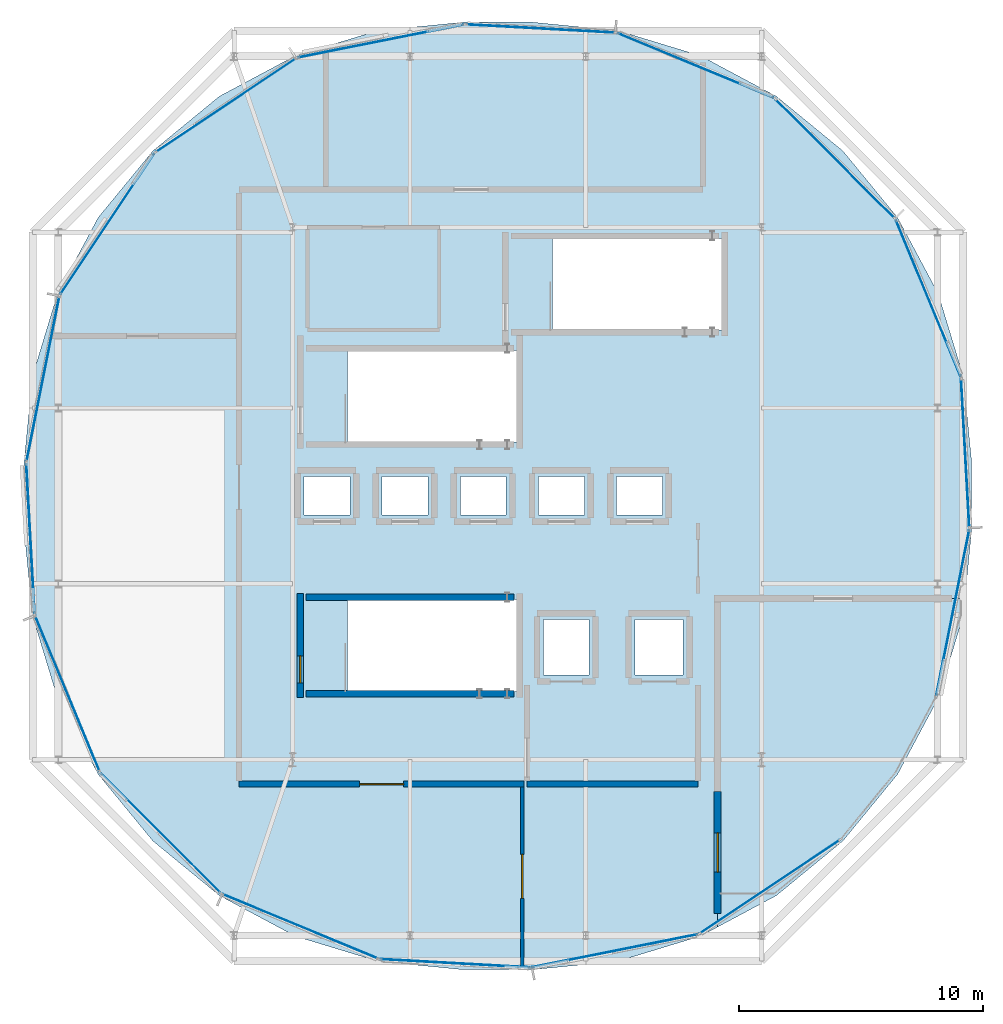
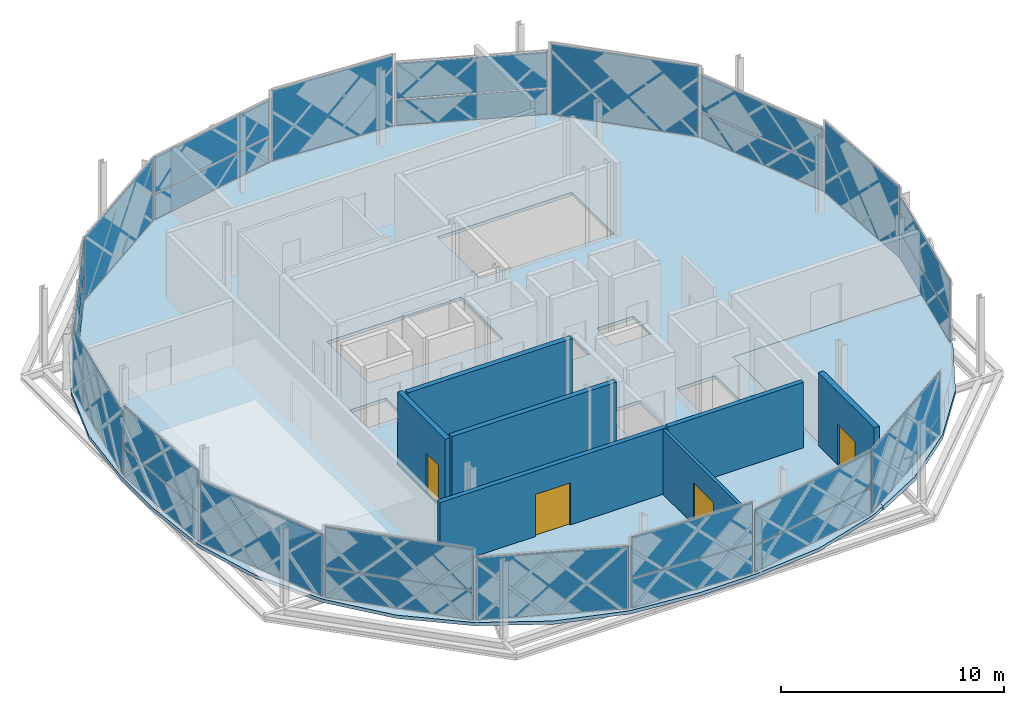
# One storey, part 9 of 15: 26 plates, 7 walls, 4 doors, 2 slabs, 4 openings, 17 elements without a shape of their own.
"""IFC4 building model written with IfcOpenShell, lengths in metres."""

from ifc_helpers import new_model, si_unit, direction, frame, frame_2d, origin, origin_2d, place, context, subcontext, project, spatial, polyline, rectangle, outline, extrude, material, layer, layer_set, type_object, element, fill, aggregate, save


model = new_model("IFC4")

# Units and contexts
model_context = context("Model", 3, precision=1e-05, world=origin(), true_north=direction((0.0, 1.0)))
body_context = subcontext(model_context, "Body", "Model", "MODEL_VIEW")
ifc_project = project(units=[si_unit("LENGTHUNIT", "METRE"), si_unit("AREAUNIT", "SQUARE_METRE"), si_unit("VOLUMEUNIT", "CUBIC_METRE"), si_unit("PLANEANGLEUNIT", "RADIAN"), si_unit("MASSUNIT", "GRAM", prefix="KILO")], contexts=[model_context])

# Site, building, storey
site_placement = place(None, origin())
site = spatial("IfcSite", under=ifc_project, at=site_placement, CompositionType="ELEMENT")
building_placement = place(site_placement, origin())
building = spatial("IfcBuilding", under=site, at=building_placement, Name="Zevrakil Square Congress Hotel", CompositionType="ELEMENT")
storey_placement = place(building_placement, frame((0.0, 0.0, 41.89990234375)))
storey = spatial("IfcBuildingStorey", under=building, at=storey_placement, Name="L12", CompositionType="ELEMENT", Elevation=41.89990234375)

# Curtain wall, plate
ifc_material_1 = material(Name="Aluminium Anodised Bronze", Category="aluminium")
ifc_layer_1 = layer(ifc_material_1, 0.179931640625)
ifc_layer_set_1 = layer_set([ifc_layer_1], Name="Aluminium Anodised Bronze")
curtain_wall_type_1 = type_object("IfcCurtainWallType", Name="CW-L12-720", PredefinedType="USERDEFINED", material=ifc_layer_set_1)
curtain_wall_1_placement = place(storey_placement, origin())
curtain_wall_1 = element("IfcCurtainWall", 1, at=curtain_wall_1_placement, inside=storey, type_object=curtain_wall_type_1, Name="L12 diamond curtain wall CW-L12-0304", ObjectType="GLAZED CURTAIN WALL", PredefinedType="USERDEFINED")
ifc_material_2 = material(Name="Low-E Solar Control Double Glazing", Category="glass")
ifc_layer_2 = layer(ifc_material_2, 0.028076171875)
ifc_layer_set_2 = layer_set([ifc_layer_2], Name="Low-E Solar Control Double Glazing")
plate_type_1 = type_object("IfcPlateType", Name="CWP-GLAZ-28", PredefinedType="CURTAIN_PANEL", material=ifc_layer_set_2)
plate_1_placement = place(storey_placement, frame((163.82763671875, 22.808349609375, 0.06005859375), z_axis=(0.0, 0.0, 1.0), x_axis=(0.195083900459, 0.980786557708, 0.0)))
plate_1 = element("IfcPlate", 2, at=plate_1_placement, type_object=plate_type_1, Name="CW-142 panel 1.1", PredefinedType="CURTAIN_PANEL", context=body_context, shape_type="SweptSolid", body=[
    extrude(rectangle(XDim=6.8857421875, YDim=0.028076171875, at=origin_2d()), origin(), (0.0, 0.0, 1.0), 1.396728515625),
])

curtain_wall_2_placement = place(storey_placement, origin())
curtain_wall_2 = element("IfcCurtainWall", 3, at=curtain_wall_2_placement, inside=storey, type_object=curtain_wall_type_1, Name="L12 diamond curtain wall CW-L12-0306", ObjectType="GLAZED CURTAIN WALL", PredefinedType="USERDEFINED")
plate_2_placement = place(storey_placement, frame((162.825439453125, 35.695068359375, 0.06005859375), z_axis=(0.0, 0.0, 1.0), x_axis=(-0.382683763454, 0.92387939537, 0.0)))
plate_2 = element("IfcPlate", 4, at=plate_2_placement, type_object=plate_type_1, Name="CW-142 panel 1.1", PredefinedType="CURTAIN_PANEL", context=body_context, shape_type="SweptSolid", body=[
    extrude(rectangle(XDim=6.8857421875, YDim=0.028076171875, at=origin_2d()), origin(), (0.0, 0.0, 1.0), 1.396728515625),
])

curtain_wall_3_placement = place(storey_placement, origin())
curtain_wall_3 = element("IfcCurtainWall", 5, at=curtain_wall_3_placement, inside=storey, type_object=curtain_wall_type_1, Name="L12 diamond curtain wall CW-L12-0308", ObjectType="GLAZED CURTAIN WALL", PredefinedType="USERDEFINED")
plate_3_placement = place(storey_placement, frame((153.295166015625, 45.2255859375, 1.51708984375), z_axis=(0.0, 0.0, 1.0), x_axis=(-0.92387939537, 0.382683763454, 0.0)))
plate_3 = element("IfcPlate", 6, at=plate_3_placement, type_object=plate_type_1, Name="CW-142 panel 1.2", PredefinedType="CURTAIN_PANEL", context=body_context, shape_type="SweptSolid", body=[
    extrude(rectangle(XDim=6.8857421875, YDim=0.028076171875, at=origin_2d()), origin(), (0.0, 0.0, 1.0), 1.963134765625),
])

ifc_material_3 = material(Name="Aluminium Anodised Bronze", Category="aluminium")
ifc_layer_3 = layer(ifc_material_3, 0.179931640625)
ifc_layer_set_3 = layer_set([ifc_layer_3], Name="Aluminium Anodised Bronze")
curtain_wall_type_2 = type_object("IfcCurtainWallType", Name="CW-L12-640", PredefinedType="USERDEFINED", material=ifc_layer_set_3)
curtain_wall_4_placement = place(storey_placement, origin())
curtain_wall_4 = element("IfcCurtainWall", 7, at=curtain_wall_4_placement, inside=storey, type_object=curtain_wall_type_2, Name="L12 diamond curtain wall CW-L12-0309", ObjectType="GLAZED CURTAIN WALL", PredefinedType="USERDEFINED")
plate_4_placement = place(storey_placement, frame((146.951416015625, 46.738525390625, 0.06005859375), z_axis=(0.0, 0.0, 1.0), x_axis=(-0.998462725099, 0.055427309038, 0.0)))
plate_4 = element("IfcPlate", 8, at=plate_4_placement, type_object=plate_type_1, Name="CW-141 panel 1.1", PredefinedType="CURTAIN_PANEL", context=body_context, shape_type="SweptSolid", body=[
    extrude(rectangle(XDim=6.104248046875, YDim=0.028076171875, at=origin_2d()), origin(), (0.0, 0.0, 1.0), 3.875),
])
aggregate(curtain_wall_4, [plate_4])

curtain_wall_5_placement = place(storey_placement, origin())
curtain_wall_5 = element("IfcCurtainWall", 9, at=curtain_wall_5_placement, inside=storey, type_object=curtain_wall_type_1, Name="L12 diamond curtain wall CW-L12-0310", ObjectType="GLAZED CURTAIN WALL", PredefinedType="USERDEFINED")
plate_5_placement = place(storey_placement, frame((140.408447265625, 46.2275390625, 1.51708984375), z_axis=(0.0, 0.0, 1.0), x_axis=(-0.980786557708, -0.195083900459, 0.0)))
plate_5 = element("IfcPlate", 10, at=plate_5_placement, type_object=plate_type_1, Name="CW-142 panel 1.2", PredefinedType="CURTAIN_PANEL", context=body_context, shape_type="SweptSolid", body=[
    extrude(rectangle(XDim=6.8857421875, YDim=0.028076171875, at=origin_2d()), origin(), (0.0, 0.0, 1.0), 1.963134765625),
])

curtain_wall_6_placement = place(storey_placement, origin())
curtain_wall_6 = element("IfcCurtainWall", 11, at=curtain_wall_6_placement, inside=storey, type_object=curtain_wall_type_1, Name="L12 diamond curtain wall CW-L12-0311", ObjectType="GLAZED CURTAIN WALL", PredefinedType="USERDEFINED")
plate_6_placement = place(storey_placement, frame((134.060302734375, 43.59814453125, 0.06005859375), z_axis=(0.0, 0.0, 1.0), x_axis=(-0.831465693332, -0.555576098128, 0.0)))
plate_6 = element("IfcPlate", 12, at=plate_6_placement, type_object=plate_type_1, Name="CW-142 panel 1.1", PredefinedType="CURTAIN_PANEL", context=body_context, shape_type="SweptSolid", body=[
    extrude(rectangle(XDim=6.8857421875, YDim=0.028076171875, at=origin_2d()), origin(), (0.0, 0.0, 1.0), 3.419921875),
])
aggregate(curtain_wall_6, [plate_6])

curtain_wall_7_placement = place(storey_placement, origin())
curtain_wall_7 = element("IfcCurtainWall", 13, at=curtain_wall_7_placement, inside=storey, type_object=curtain_wall_type_2, Name="L12 diamond curtain wall CW-L12-0314", ObjectType="GLAZED CURTAIN WALL", PredefinedType="USERDEFINED")
plate_7_placement = place(storey_placement, frame((126.0615234375, 25.8486328125, 0.06005859375), z_axis=(0.0, 0.0, 1.0), x_axis=(0.055427309038, -0.998462725099, 0.0)))
plate_7 = element("IfcPlate", 14, at=plate_7_placement, type_object=plate_type_1, Name="CW-141 panel 1.1", PredefinedType="CURTAIN_PANEL", context=body_context, shape_type="SweptSolid", body=[
    extrude(rectangle(XDim=6.104248046875, YDim=0.028076171875, at=origin_2d()), origin(), (0.0, 0.0, 1.0), 1.587890625),
])

curtain_wall_8_placement = place(storey_placement, origin())
curtain_wall_8 = element("IfcCurtainWall", 15, at=curtain_wall_8_placement, inside=storey, type_object=curtain_wall_type_1, Name="L12 diamond curtain wall CW-L12-0316", ObjectType="GLAZED CURTAIN WALL", PredefinedType="USERDEFINED")
plate_8_placement = place(storey_placement, frame((131.391845703125, 13.791748046875, 0.06005859375), z_axis=(0.0, 0.0, 1.0), x_axis=(0.707106781187, -0.707106781187, 0.0)))
plate_8 = element("IfcPlate", 16, at=plate_8_placement, type_object=plate_type_1, Name="CW-142 panel 1.1", PredefinedType="CURTAIN_PANEL", context=body_context, shape_type="SweptSolid", body=[
    extrude(rectangle(XDim=6.885498046875, YDim=0.028076171875, at=origin_2d()), origin(), (0.0, 0.0, 1.0), 1.587890625),
])

curtain_wall_9_placement = place(storey_placement, origin())
curtain_wall_9 = element("IfcCurtainWall", 17, at=curtain_wall_9_placement, inside=storey, type_object=curtain_wall_type_2, Name="L12 diamond curtain wall CW-L12-0318", ObjectType="GLAZED CURTAIN WALL", PredefinedType="USERDEFINED")
plate_9_placement = place(storey_placement, frame((143.448486328125, 8.46142578125, 1.7080078125), z_axis=(0.0, 0.0, 1.0), x_axis=(0.998462725099, -0.055427309038, 0.0)))
plate_9 = element("IfcPlate", 18, at=plate_9_placement, type_object=plate_type_1, Name="CW-141 panel 1.2", PredefinedType="CURTAIN_PANEL", context=body_context, shape_type="SweptSolid", body=[
    extrude(rectangle(XDim=6.104248046875, YDim=0.028076171875, at=origin_2d()), origin(), (0.0, 0.0, 1.0), 2.22705078125),
])

curtain_wall_10_placement = place(storey_placement, origin())
curtain_wall_10 = element("IfcCurtainWall", 19, at=curtain_wall_10_placement, inside=storey, type_object=curtain_wall_type_1, Name="L12 diamond curtain wall CW-L12-0302", ObjectType="GLAZED CURTAIN WALL", PredefinedType="USERDEFINED")
ifc_material_4 = material(Name="Basalt Grey Ribbed GRC Panel", Category="masonry")
ifc_layer_4 = layer(ifc_material_4, 0.0439453125)
ifc_layer_set_4 = layer_set([ifc_layer_4], Name="Basalt Grey Ribbed GRC Panel")
plate_type_2 = type_object("IfcPlateType", Name="CWP-GRCG-44", PredefinedType="CURTAIN_PANEL", material=ifc_layer_set_4)
plate_10_placement = place(storey_placement, frame((149.991455078125, 8.972412109375, 1.51708984375), z_axis=(0.0, 0.0, 1.0), x_axis=(0.980786557708, 0.195083900459, 0.0)))
plate_10 = element("IfcPlate", 20, at=plate_10_placement, type_object=plate_type_2, Name="CW-142 panel 1.2", PredefinedType="CURTAIN_PANEL", context=body_context, shape_type="SweptSolid", body=[
    extrude(rectangle(XDim=6.8857421875, YDim=0.028076171875, at=origin_2d()), origin(), (0.0, 0.0, 1.0), 1.963134765625),
])

curtain_wall_11_placement = place(storey_placement, origin())
curtain_wall_11 = element("IfcCurtainWall", 21, at=curtain_wall_11_placement, inside=storey, type_object=curtain_wall_type_1, Name="L12 diamond curtain wall CW-L12-0303", ObjectType="GLAZED CURTAIN WALL", PredefinedType="USERDEFINED")
plate_11_placement = place(storey_placement, frame((156.339599609375, 11.601806640625, 0.06005859375), z_axis=(0.0, 0.0, 1.0), x_axis=(0.831465693332, 0.555576098128, 0.0)))
plate_11 = element("IfcPlate", 22, at=plate_11_placement, type_object=plate_type_2, Name="CW-142 panel 1.1", PredefinedType="CURTAIN_PANEL", context=body_context, shape_type="SweptSolid", body=[
    extrude(rectangle(XDim=6.8857421875, YDim=0.028076171875, at=origin_2d()), origin(), (0.0, 0.0, 1.0), 3.419921875),
])
aggregate(curtain_wall_11, [plate_11])

# Plate
plate_12_placement = place(storey_placement, frame((153.295166015625, 45.2255859375, 0.06005859375), z_axis=(0.0, 0.0, 1.0), x_axis=(-0.92387939537, 0.382683763454, 0.0)))
plate_12 = element("IfcPlate", 23, at=plate_12_placement, type_object=plate_type_2, Name="CW-142 panel 1.1", PredefinedType="CURTAIN_PANEL", context=body_context, shape_type="SweptSolid", body=[
    extrude(rectangle(XDim=6.8857421875, YDim=0.028076171875, at=origin_2d()), origin(), (0.0, 0.0, 1.0), 1.396728515625),
])

aggregate(curtain_wall_3, [plate_12, plate_3])

# Curtain wall, plate
curtain_wall_12_placement = place(storey_placement, origin())
curtain_wall_12 = element("IfcCurtainWall", 24, at=curtain_wall_12_placement, inside=storey, type_object=curtain_wall_type_1, Name="L12 diamond curtain wall CW-L12-0312", ObjectType="GLAZED CURTAIN WALL", PredefinedType="USERDEFINED")
plate_13_placement = place(storey_placement, frame((129.201904296875, 38.739501953125, 1.51708984375), z_axis=(0.0, 0.0, 1.0), x_axis=(-0.555576098128, -0.831465693332, 0.0)))
plate_13 = element("IfcPlate", 25, at=plate_13_placement, type_object=plate_type_2, Name="CW-142 panel 1.2", PredefinedType="CURTAIN_PANEL", context=body_context, shape_type="SweptSolid", body=[
    extrude(rectangle(XDim=6.8857421875, YDim=0.028076171875, at=origin_2d()), origin(), (0.0, 0.0, 1.0), 1.963134765625),
])

curtain_wall_13_placement = place(storey_placement, origin())
curtain_wall_13 = element("IfcCurtainWall", 26, at=curtain_wall_13_placement, inside=storey, type_object=curtain_wall_type_1, Name="L12 diamond curtain wall CW-L12-0313", ObjectType="GLAZED CURTAIN WALL", PredefinedType="USERDEFINED")
plate_14_placement = place(storey_placement, frame((126.572265625, 32.3916015625, 0.06005859375), z_axis=(0.0, 0.0, 1.0), x_axis=(-0.195083900459, -0.980786557708, 0.0)))
plate_14 = element("IfcPlate", 27, at=plate_14_placement, type_object=plate_type_2, Name="CW-142 panel 1.1", PredefinedType="CURTAIN_PANEL", context=body_context, shape_type="SweptSolid", body=[
    extrude(rectangle(XDim=6.8857421875, YDim=0.028076171875, at=origin_2d()), origin(), (0.0, 0.0, 1.0), 3.419921875),
])
aggregate(curtain_wall_13, [plate_14])

# Plate
plate_15_placement = place(storey_placement, frame((143.448486328125, 8.46142578125, 0.06005859375), z_axis=(0.0, 0.0, 1.0), x_axis=(0.998462725099, -0.055427309038, 0.0)))
plate_15 = element("IfcPlate", 28, at=plate_15_placement, type_object=plate_type_2, Name="CW-141 panel 1.1", PredefinedType="CURTAIN_PANEL", context=body_context, shape_type="SweptSolid", body=[
    extrude(rectangle(XDim=6.104248046875, YDim=0.028076171875, at=origin_2d()), origin(), (0.0, 0.0, 1.0), 1.587890625),
])

aggregate(curtain_wall_9, [plate_15, plate_9])

ifc_material_5 = material(Name="White Ribbed Highland GRC Panel", Category="concrete")
ifc_layer_5 = layer(ifc_material_5, 0.0400390625)
ifc_layer_set_5 = layer_set([ifc_layer_5], Name="White Ribbed Highland GRC Panel")
plate_type_3 = type_object("IfcPlateType", Name="CWP-GRCW-40", PredefinedType="CURTAIN_PANEL", material=ifc_layer_set_5)
plate_16_placement = place(storey_placement, frame((149.991455078125, 8.972412109375, 0.06005859375), z_axis=(0.0, 0.0, 1.0), x_axis=(0.980786557708, 0.195083900459, 0.0)))
plate_16 = element("IfcPlate", 29, at=plate_16_placement, type_object=plate_type_3, Name="CW-142 panel 1.1", PredefinedType="CURTAIN_PANEL", context=body_context, shape_type="SweptSolid", body=[
    extrude(rectangle(XDim=6.8857421875, YDim=0.028076171875, at=origin_2d()), origin(), (0.0, 0.0, 1.0), 1.396728515625),
])

aggregate(curtain_wall_10, [plate_16, plate_10])

plate_17_placement = place(storey_placement, frame((163.82763671875, 22.808349609375, 1.51708984375), z_axis=(0.0, 0.0, 1.0), x_axis=(0.195083900459, 0.980786557708, 0.0)))
plate_17 = element("IfcPlate", 30, at=plate_17_placement, type_object=plate_type_3, Name="CW-142 panel 1.2", PredefinedType="CURTAIN_PANEL", context=body_context, shape_type="SweptSolid", body=[
    extrude(rectangle(XDim=6.8857421875, YDim=0.028076171875, at=origin_2d()), origin(), (0.0, 0.0, 1.0), 1.963134765625),
])

aggregate(curtain_wall_1, [plate_1, plate_17])

# Curtain wall, plate
curtain_wall_14_placement = place(storey_placement, origin())
curtain_wall_14 = element("IfcCurtainWall", 31, at=curtain_wall_14_placement, inside=storey, type_object=curtain_wall_type_2, Name="L12 diamond curtain wall CW-L12-0305", ObjectType="GLAZED CURTAIN WALL", PredefinedType="USERDEFINED")
plate_18_placement = place(storey_placement, frame((164.33837890625, 29.351318359375, 0.06005859375), z_axis=(0.0, 0.0, 1.0), x_axis=(-0.055427309038, 0.998462725099, 0.0)))
plate_18 = element("IfcPlate", 32, at=plate_18_placement, type_object=plate_type_3, Name="CW-141 panel 1.1", PredefinedType="CURTAIN_PANEL", context=body_context, shape_type="SweptSolid", body=[
    extrude(rectangle(XDim=6.104248046875, YDim=0.028076171875, at=origin_2d()), origin(), (0.0, 0.0, 1.0), 3.875),
])
aggregate(curtain_wall_14, [plate_18])

# Plate
plate_19_placement = place(storey_placement, frame((162.825439453125, 35.695068359375, 1.51708984375), z_axis=(0.0, 0.0, 1.0), x_axis=(-0.382683763454, 0.92387939537, 0.0)))
plate_19 = element("IfcPlate", 33, at=plate_19_placement, type_object=plate_type_3, Name="CW-142 panel 1.2", PredefinedType="CURTAIN_PANEL", context=body_context, shape_type="SweptSolid", body=[
    extrude(rectangle(XDim=6.8857421875, YDim=0.028076171875, at=origin_2d()), origin(), (0.0, 0.0, 1.0), 1.963134765625),
])

aggregate(curtain_wall_2, [plate_2, plate_19])

# Curtain wall, plate
curtain_wall_15_placement = place(storey_placement, origin())
curtain_wall_15 = element("IfcCurtainWall", 34, at=curtain_wall_15_placement, inside=storey, type_object=curtain_wall_type_1, Name="L12 diamond curtain wall CW-L12-0307", ObjectType="GLAZED CURTAIN WALL", PredefinedType="USERDEFINED")
plate_20_placement = place(storey_placement, frame((159.008056640625, 41.408203125, 0.06005859375), z_axis=(0.0, 0.0, 1.0), x_axis=(-0.707106781187, 0.707106781187, 0.0)))
plate_20 = element("IfcPlate", 35, at=plate_20_placement, type_object=plate_type_3, Name="CW-142 panel 1.1", PredefinedType="CURTAIN_PANEL", context=body_context, shape_type="SweptSolid", body=[
    extrude(rectangle(XDim=6.885498046875, YDim=0.028076171875, at=origin_2d()), origin(), (0.0, 0.0, 1.0), 3.875),
])
aggregate(curtain_wall_15, [plate_20])

# Plate
plate_21_placement = place(storey_placement, frame((140.408447265625, 46.2275390625, 0.06005859375), z_axis=(0.0, 0.0, 1.0), x_axis=(-0.980786557708, -0.195083900459, 0.0)))
plate_21 = element("IfcPlate", 36, at=plate_21_placement, type_object=plate_type_3, Name="CW-142 panel 1.1", PredefinedType="CURTAIN_PANEL", context=body_context, shape_type="SweptSolid", body=[
    extrude(rectangle(XDim=6.8857421875, YDim=0.028076171875, at=origin_2d()), origin(), (0.0, 0.0, 1.0), 1.396728515625),
])

aggregate(curtain_wall_5, [plate_21, plate_5])

plate_22_placement = place(storey_placement, frame((129.201904296875, 38.739501953125, 0.06005859375), z_axis=(0.0, 0.0, 1.0), x_axis=(-0.555576098128, -0.831465693332, 0.0)))
plate_22 = element("IfcPlate", 37, at=plate_22_placement, type_object=plate_type_3, Name="CW-142 panel 1.1", PredefinedType="CURTAIN_PANEL", context=body_context, shape_type="SweptSolid", body=[
    extrude(rectangle(XDim=6.8857421875, YDim=0.028076171875, at=origin_2d()), origin(), (0.0, 0.0, 1.0), 1.396728515625),
])

aggregate(curtain_wall_12, [plate_22, plate_13])

plate_23_placement = place(storey_placement, frame((126.0615234375, 25.8486328125, 1.7080078125), z_axis=(0.0, 0.0, 1.0), x_axis=(0.055427309038, -0.998462725099, 0.0)))
plate_23 = element("IfcPlate", 38, at=plate_23_placement, type_object=plate_type_3, Name="CW-141 panel 1.2", PredefinedType="CURTAIN_PANEL", context=body_context, shape_type="SweptSolid", body=[
    extrude(rectangle(XDim=6.104248046875, YDim=0.028076171875, at=origin_2d()), origin(), (0.0, 0.0, 1.0), 2.22705078125),
])

aggregate(curtain_wall_7, [plate_7, plate_23])

# Curtain wall, plate
curtain_wall_16_placement = place(storey_placement, origin())
curtain_wall_16 = element("IfcCurtainWall", 39, at=curtain_wall_16_placement, inside=storey, type_object=curtain_wall_type_1, Name="L12 diamond curtain wall CW-L12-0315", ObjectType="GLAZED CURTAIN WALL", PredefinedType="USERDEFINED")
plate_24_placement = place(storey_placement, frame((127.574462890625, 19.5048828125, 0.06005859375), z_axis=(0.0, 0.0, 1.0), x_axis=(0.382683763454, -0.92387939537, 0.0)))
plate_24 = element("IfcPlate", 40, at=plate_24_placement, type_object=plate_type_3, Name="CW-142 panel 1.1", PredefinedType="CURTAIN_PANEL", context=body_context, shape_type="SweptSolid", body=[
    extrude(rectangle(XDim=6.8857421875, YDim=0.028076171875, at=origin_2d()), origin(), (0.0, 0.0, 1.0), 3.419921875),
])
aggregate(curtain_wall_16, [plate_24])

# Plate
plate_25_placement = place(storey_placement, frame((131.391845703125, 13.791748046875, 1.7080078125), z_axis=(0.0, 0.0, 1.0), x_axis=(0.707106781187, -0.707106781187, 0.0)))
plate_25 = element("IfcPlate", 41, at=plate_25_placement, type_object=plate_type_3, Name="CW-142 panel 1.2", PredefinedType="CURTAIN_PANEL", context=body_context, shape_type="SweptSolid", body=[
    extrude(rectangle(XDim=6.885498046875, YDim=0.028076171875, at=origin_2d()), origin(), (0.0, 0.0, 1.0), 2.22705078125),
])

aggregate(curtain_wall_8, [plate_8, plate_25])

# Curtain wall, plate
curtain_wall_17_placement = place(storey_placement, origin())
curtain_wall_17 = element("IfcCurtainWall", 42, at=curtain_wall_17_placement, inside=storey, type_object=curtain_wall_type_1, Name="L12 diamond curtain wall CW-L12-0317", ObjectType="GLAZED CURTAIN WALL", PredefinedType="USERDEFINED")
plate_26_placement = place(storey_placement, frame((137.10498046875, 9.974609375, 0.06005859375), z_axis=(0.0, 0.0, 1.0), x_axis=(0.92387939537, -0.382683763454, 0.0)))
plate_26 = element("IfcPlate", 43, at=plate_26_placement, type_object=plate_type_3, Name="CW-142 panel 1.1", PredefinedType="CURTAIN_PANEL", context=body_context, shape_type="SweptSolid", body=[
    extrude(rectangle(XDim=6.8857421875, YDim=0.028076171875, at=origin_2d()), origin(), (0.0, 0.0, 1.0), 3.419921875),
])
aggregate(curtain_wall_17, [plate_26])

# Slabs
ifc_material_6 = material(Name="Concrete C35/45", Category="concrete")
ifc_layer_6 = layer(ifc_material_6, 0.18505859375)
ifc_layer_set_6 = layer_set([ifc_layer_6], Name="Concrete C35/45")
slab_type_1 = type_object("IfcSlabType", Name="SLB-L12-185", PredefinedType="FLOOR", material=ifc_layer_set_6)
slab_1_placement = place(storey_placement, frame((0.0, 0.0, -0.179931640625)))
element("IfcSlab", 44, at=slab_1_placement, inside=storey, type_object=slab_type_1, Name="L12 sky restaurant and lounge floor slab", PredefinedType="FLOOR", context=body_context, shape_type="SweptSolid", body=[
    extrude(outline(polyline([(153.4892578125, 9.569091796875), (150.112548828125, 8.544921875), (146.60107421875, 8.198974609375), (143.799072265625, 8.198974609375), (140.287353515625, 8.544921875), (136.91064453125, 9.569091796875), (133.798583984375, 11.232421875), (131.071044921875, 13.47119140625), (128.83251953125, 16.19873046875), (127.169189453125, 19.310791015625), (126.14501953125, 22.6875), (125.799072265625, 26.198974609375), (125.799072265625, 29.0009765625), (126.14501953125, 32.5126953125), (127.169189453125, 35.889404296875), (128.83251953125, 39.001220703125), (131.071044921875, 41.72900390625), (133.798583984375, 43.967529296875), (136.91064453125, 45.630859375), (140.287353515625, 46.655029296875), (143.799072265625, 47.0009765625), (146.60107421875, 47.0009765625), (150.112548828125, 46.655029296875), (153.4892578125, 45.630859375), (156.601318359375, 43.967529296875), (159.328857421875, 41.72900390625), (161.5673828125, 39.001220703125), (163.230712890625, 35.889404296875), (164.255126953125, 32.5126953125), (164.60107421875, 29.0009765625), (164.60107421875, 26.198974609375), (164.3251953125, 23.39990234375), (154.199951171875, 23.39990234375), (154.199951171875, 9.94921875), (153.4892578125, 9.569091796875)]), holes=[polyline([(139.044921875, 19.60009765625), (146.0, 19.60009765625), (146.0, 23.35009765625), (139.044921875, 23.35009765625), (139.044921875, 19.60009765625)]), polyline([(139.044921875, 29.800048828125), (146.0, 29.800048828125), (146.0, 33.550048828125), (139.044921875, 33.550048828125), (139.044921875, 29.800048828125)]), polyline([(147.445068359375, 34.39990234375), (154.39990234375, 34.39990234375), (154.39990234375, 38.14990234375), (147.445068359375, 38.14990234375), (147.445068359375, 34.39990234375)]), polyline([(137.260009765625, 26.81005859375), (139.139892578125, 26.81005859375), (139.139892578125, 28.389892578125), (137.260009765625, 28.389892578125), (137.260009765625, 26.81005859375)]), polyline([(140.4599609375, 26.81005859375), (142.340087890625, 26.81005859375), (142.340087890625, 28.389892578125), (140.4599609375, 28.389892578125), (140.4599609375, 26.81005859375)]), polyline([(143.659912109375, 26.81005859375), (145.5400390625, 26.81005859375), (145.5400390625, 28.389892578125), (143.659912109375, 28.389892578125), (143.659912109375, 26.81005859375)]), polyline([(146.860107421875, 26.81005859375), (148.739990234375, 26.81005859375), (148.739990234375, 28.389892578125), (146.860107421875, 28.389892578125), (146.860107421875, 26.81005859375)]), polyline([(150.06005859375, 26.81005859375), (151.93994140625, 26.81005859375), (151.93994140625, 28.389892578125), (150.06005859375, 28.389892578125), (150.06005859375, 26.81005859375)]), polyline([(147.06005859375, 20.260009765625), (148.93994140625, 20.260009765625), (148.93994140625, 22.5400390625), (147.06005859375, 22.5400390625), (147.06005859375, 20.260009765625)]), polyline([(150.81005859375, 20.260009765625), (152.7900390625, 20.260009765625), (152.7900390625, 22.5400390625), (150.81005859375, 22.5400390625), (150.81005859375, 20.260009765625)])]), origin(), (0.0, 0.0, 1.0), 0.179931640625),
])
ifc_material_7 = material(Name="Concrete C35/45", Category="concrete")
ifc_layer_7 = layer(ifc_material_7, 0.25)
ifc_layer_set_7 = layer_set([ifc_layer_7], Name="Concrete C35/45")
slab_type_2 = type_object("IfcSlabType", Name="SLB-ROOF-GDN-250", PredefinedType="ROOF", material=ifc_layer_set_7)
slab_2_placement = place(storey_placement, frame((0.0, 0.0, -0.25)))
element("IfcSlab", 45, at=slab_2_placement, inside=storey, type_object=slab_type_2, Name="rooftop observation terrace slab", PredefinedType="ROOF", context=body_context, shape_type="SweptSolid", body=[
    extrude(outline(polyline([(164.255126953125, 22.6875), (163.230712890625, 19.310791015625), (161.5673828125, 16.19873046875), (159.328857421875, 13.47119140625), (156.601318359375, 11.232421875), (154.199951171875, 9.94921875), (154.199951171875, 23.39990234375), (164.3251953125, 23.39990234375), (164.255126953125, 22.6875)])), origin(), (0.0, 0.0, 1.0), 0.25),
])

# Wall
ifc_material_8 = material(Name="Concrete C35/45", Category="concrete")
ifc_layer_8 = layer(ifc_material_8, 0.239990234375)
ifc_layer_set_8 = layer_set([ifc_layer_8], Name="Concrete C35/45")
wall_type_1 = type_object("IfcWallType", Name="WAL-COMP-240", PredefinedType="SOLIDWALL", material=ifc_layer_set_8)
wall_1_placement = place(storey_placement, frame((146.39990234375, 15.800048828125, 0.0), z_axis=(0.0, 0.0, 1.0), x_axis=(1.0, 0.0, 0.0)))
element("IfcWall", 46, at=wall_1_placement, inside=storey, type_object=wall_type_1, Name="L12 interior partition PW-L12-1974", PredefinedType="SOLIDWALL", context=body_context, shape_type="SweptSolid", body=[
    extrude(rectangle(XDim=7.0, YDim=0.239990234375, at=frame_2d((3.5, 0.0))), origin(), (0.0, 0.0, 1.0), 3.580078125),
])

# Wall, opening, door
wall_2_placement = place(storey_placement, frame((134.60009765625, 15.800048828125, 0.0), z_axis=(0.0, 0.0, 1.0), x_axis=(1.0, 0.0, 0.0)))
wall_2 = element("IfcWall", 47, at=wall_2_placement, inside=storey, type_object=wall_type_1, Name="L12 interior partition PW-L12-1981", PredefinedType="SOLIDWALL", context=body_context, shape_type="SweptSolid", body=[
    extrude(rectangle(XDim=11.6748046875, YDim=0.239990234375, at=frame_2d((5.83740234375, 0.0))), origin(), (0.0, 0.0, 1.0), 3.580078125),
])
opening_1_placement = place(wall_2_placement, frame((4.9375, 0.0, 0.0)))
opening_1 = element("IfcOpeningElement", 48, at=opening_1_placement, cuts=wall_2, Name="Opening ID-04", PredefinedType="OPENING", context=body_context, shape_type="SweptSolid", body=[
    extrude(rectangle(XDim=1.800048828125, YDim=2.300048828125, at=frame_2d((0.89990234375, 1.14990234375))), frame((0.0, 0.1298828125, 0.0), z_axis=(0.0, -1.0, 0.0), x_axis=(1.0, 0.0, 0.0)), (0.0, 0.0, 1.0), 0.260009765625),
])
ifc_material_9 = material(Name="Diplomatic Boardroom Double Door")
door_type_1 = type_object("IfcDoorType", Name="DOR-MTG-180", OperationType="NOTDEFINED", PredefinedType="DOOR", material=ifc_material_9)
door_1_placement = place(opening_1_placement, origin())
door_1 = element("IfcDoor", 49, at=door_1_placement, inside=storey, type_object=door_type_1, Name="L12 interior door 768", OperationType="DOUBLE_DOOR_SINGLE_SWING", OverallHeight=2.300048828125, OverallWidth=1.800048828125, PredefinedType="DOOR", context=body_context, shape_type="SweptSolid", body=[
    extrude(rectangle(XDim=1.800048828125, YDim=2.300048828125, at=frame_2d((0.89990234375, 1.14990234375))), frame((0.0, 0.02490234375, 0.0), z_axis=(0.0, -1.0, 0.0), x_axis=(1.0, 0.0, 0.0)), (0.0, 0.0, 1.0), 0.050048828125),
])
fill(opening_1, door_1)

ifc_material_10 = material(Name="Gypsum Acoustic Stud Partition")
ifc_layer_9 = layer(ifc_material_10, 0.159912109375)
ifc_layer_set_9 = layer_set([ifc_layer_9], Name="Gypsum Acoustic Stud Partition")
wall_type_2 = type_object("IfcWallType", Name="WAL-CORR-160", PredefinedType="PARTITIONING", material=ifc_layer_set_9)
wall_3_placement = place(storey_placement, frame((146.199951171875, 8.35888671875, 0.0), z_axis=(0.0, 0.0, 1.0), x_axis=(0.0, 1.0, 0.0)))
wall_3 = element("IfcWall", 50, at=wall_3_placement, inside=storey, type_object=wall_type_2, Name="L12 interior partition PW-L12-1988", PredefinedType="PARTITIONING", context=body_context, shape_type="SweptSolid", body=[
    extrude(rectangle(XDim=7.321044921875, YDim=0.159912109375, at=frame_2d((3.66064453125, 0.0))), origin(), (0.0, 0.0, 1.0), 3.5400390625),
])
opening_2_placement = place(wall_3_placement, frame((2.760498046875, 0.0, 0.0)))
opening_2 = element("IfcOpeningElement", 51, at=opening_2_placement, cuts=wall_3, Name="Opening ID-04", PredefinedType="OPENING", context=body_context, shape_type="SweptSolid", body=[
    extrude(rectangle(XDim=1.800048828125, YDim=2.300048828125, at=frame_2d((0.89990234375, 1.14990234375))), frame((0.0, 0.08984375, 0.0), z_axis=(0.0, -1.0, 0.0), x_axis=(1.0, 0.0, 0.0)), (0.0, 0.0, 1.0), 0.179931640625),
])
door_2_placement = place(opening_2_placement, origin())
door_2 = element("IfcDoor", 52, at=door_2_placement, inside=storey, type_object=door_type_1, Name="L12 interior door 773", OperationType="DOUBLE_DOOR_SINGLE_SWING", OverallHeight=2.300048828125, OverallWidth=1.800048828125, PredefinedType="DOOR", context=body_context, shape_type="SweptSolid", body=[
    extrude(rectangle(XDim=1.800048828125, YDim=2.300048828125, at=frame_2d((0.89990234375, 1.14990234375))), frame((0.0, 0.02490234375, 0.0), z_axis=(0.0, -1.0, 0.0), x_axis=(1.0, 0.0, 0.0)), (0.0, 0.0, 1.0), 0.050048828125),
])
fill(opening_2, door_2)

ifc_material_11 = material(Name="Precast concrete C40/50", Category="concrete")
ifc_layer_10 = layer(ifc_material_11, 0.280029296875)
ifc_layer_set_10 = layer_set([ifc_layer_10], Name="Precast concrete C40/50")
wall_type_3 = type_object("IfcWallType", Name="WAL-EXT-PAV-280", PredefinedType="SOLIDWALL", material=ifc_layer_set_10)
wall_4_placement = place(storey_placement, frame((154.199951171875, 10.5, 0.0), z_axis=(0.0, 0.0, 1.0), x_axis=(0.0, 1.0, 0.0)))
wall_4 = element("IfcWall", 53, at=wall_4_placement, inside=storey, type_object=wall_type_3, Name="L12 exterior GRC wall EW-L12-0138", PredefinedType="SOLIDWALL", context=body_context, shape_type="SweptSolid", body=[
    extrude(rectangle(XDim=4.9970703125, YDim=0.280029296875, at=frame_2d((2.49853515625, 0.0))), origin(), (0.0, 0.0, 1.0), 3.9951171875),
])
opening_3_placement = place(wall_4_placement, frame((1.698486328125, 0.0, 0.0)))
opening_3 = element("IfcOpeningElement", 54, at=opening_3_placement, cuts=wall_4, Name="Opening TD-02", PredefinedType="OPENING", context=body_context, shape_type="SweptSolid", body=[
    extrude(rectangle(XDim=1.60009765625, YDim=2.199951171875, at=frame_2d((0.800048828125, 1.10009765625))), frame((0.0, 0.14990234375, 0.0), z_axis=(0.0, -1.0, 0.0), x_axis=(1.0, 0.0, 0.0)), (0.0, 0.0, 1.0), 0.300048828125),
])
ifc_material_12 = material(Name="Aluminium Thermal-Break Glazed Door", Category="aluminium")
door_type_2 = type_object("IfcDoorType", Name="DOR-TERR-160", OperationType="NOTDEFINED", PredefinedType="DOOR", material=ifc_material_12)
door_3_placement = place(opening_3_placement, origin())
door_3 = element("IfcDoor", 55, at=door_3_placement, inside=storey, type_object=door_type_2, Name="L12 walkable roof garden terrace door", OperationType="DOUBLE_DOOR_SINGLE_SWING", OverallHeight=2.199951171875, OverallWidth=1.60009765625, PredefinedType="DOOR", context=body_context, shape_type="SweptSolid", body=[
    extrude(rectangle(XDim=1.60009765625, YDim=2.199951171875, at=frame_2d((0.800048828125, 1.10009765625))), frame((0.0, 0.02490234375, 0.0), z_axis=(0.0, -1.0, 0.0), x_axis=(1.0, 0.0, 0.0)), (0.0, 0.0, 1.0), 0.050048828125),
])
fill(opening_3, door_3)

ifc_material_13 = material(Name="Concrete C40/50", Category="concrete")
ifc_layer_11 = layer(ifc_material_13, 0.260009765625)
ifc_layer_set_11 = layer_set([ifc_layer_11], Name="Concrete C40/50")
wall_type_4 = type_object("IfcWallType", Name="WAL-SHAFT-260", PredefinedType="SHEAR", material=ifc_layer_set_11)
wall_5_placement = place(storey_placement, frame((137.10498046875, 19.340087890625, 0.0), z_axis=(0.0, 0.0, 1.0), x_axis=(0.0, 1.0, 0.0)))
wall_5 = element("IfcWall", 56, at=wall_5_placement, inside=storey, type_object=wall_type_4, Name="L12 ST01 stair shaft W wall", PredefinedType="SHEAR", context=body_context, shape_type="SweptSolid", body=[
    extrude(rectangle(XDim=4.27001953125, YDim=0.260009765625, at=frame_2d((2.135009765625, 0.0))), origin(), (0.0, 0.0, 1.0), 3.9951171875),
])
opening_4_placement = place(wall_5_placement, frame((0.610107421875, 0.0, 0.0)))
opening_4 = element("IfcOpeningElement", 57, at=opening_4_placement, cuts=wall_5, Name="Opening SD-ST01", PredefinedType="OPENING", context=body_context, shape_type="SweptSolid", body=[
    extrude(rectangle(XDim=1.10009765625, YDim=2.199951171875, at=frame_2d((0.550048828125, 1.10009765625))), frame((0.0, 0.14013671875, 0.0), z_axis=(0.0, -1.0, 0.0), x_axis=(1.0, 0.0, 0.0)), (0.0, 0.0, 1.0), 0.280029296875),
])
ifc_material_14 = material(Name="Steel S355 Fire-Rated Door", Category="steel")
door_type_3 = type_object("IfcDoorType", Name="DOR-STAIR-FD90-110", OperationType="NOTDEFINED", PredefinedType="DOOR", material=ifc_material_14)
door_4_placement = place(opening_4_placement, origin())
door_4 = element("IfcDoor", 58, at=door_4_placement, inside=storey, type_object=door_type_3, Name="L12 ST01 protected stair fire door", OperationType="SINGLE_SWING_LEFT", OverallHeight=2.199951171875, OverallWidth=1.10009765625, PredefinedType="DOOR", context=body_context, shape_type="SweptSolid", body=[
    extrude(rectangle(XDim=1.10009765625, YDim=2.199951171875, at=frame_2d((0.550048828125, 1.10009765625))), frame((0.0, 0.02490234375, 0.0), z_axis=(0.0, -1.0, 0.0), x_axis=(1.0, 0.0, 0.0)), (0.0, 0.0, 1.0), 0.050048828125),
])
fill(opening_4, door_4)

# Walls
for number, where, z_axis, x_axis, name in (
    (59, (137.340087890625, 19.5048828125, 0.0), (0.0, 0.0, 1.0), (1.0, 0.0, 0.0), "L12 ST01 stair shaft S wall"),
    (60, (137.340087890625, 23.445068359375, 0.0), (0.0, 0.0, 1.0), (1.0, 0.0, 0.0), "L12 ST01 stair shaft N wall"),
):
    element("IfcWall", number, at=place(storey_placement, frame(where, z_axis=z_axis, x_axis=x_axis)), inside=storey, type_object=wall_type_4, Name=name, PredefinedType="SHEAR", context=body_context, shape_type="SweptSolid", body=[
        extrude(rectangle(XDim=8.52001953125, YDim=0.260009765625, at=frame_2d((4.260009765625, 0.0))), origin(), (0.0, 0.0, 1.0), 3.9951171875),
    ])

save(model, "model.ifc")
